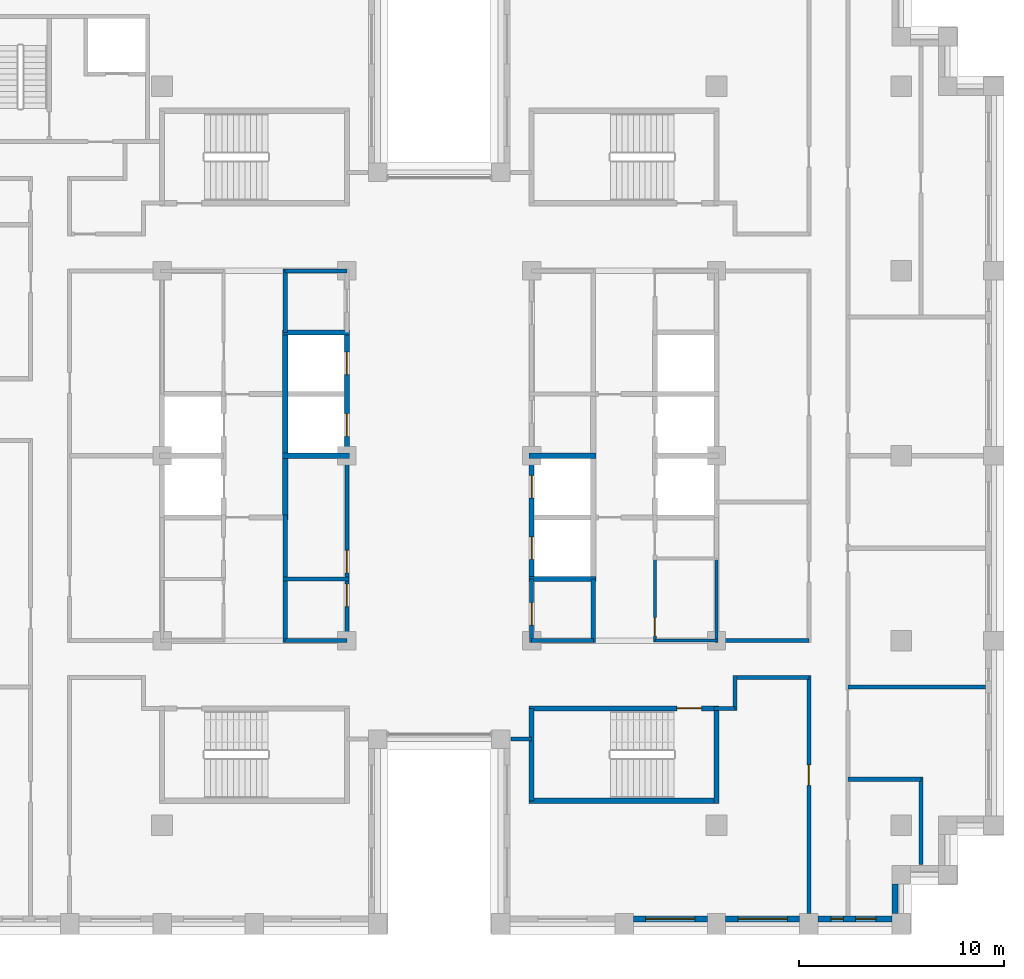
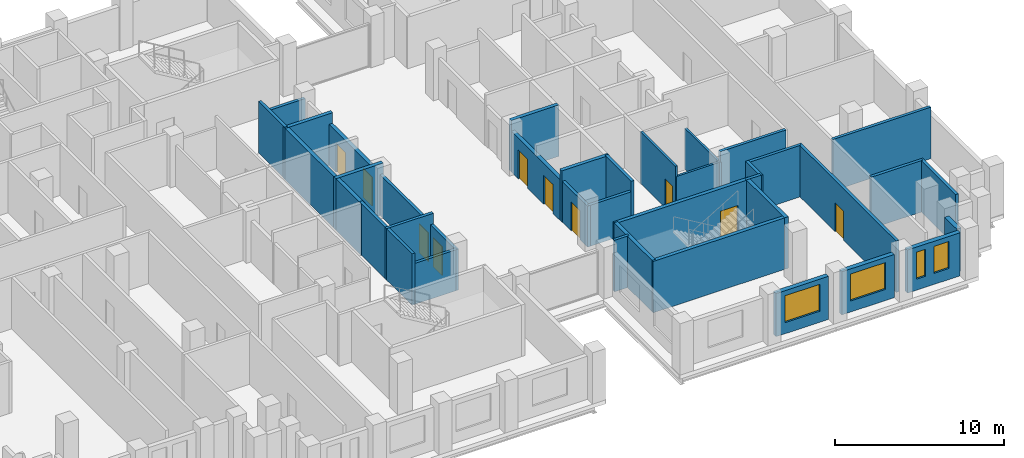
# One storey, part 8 of 15: 36 walls, 10 doors, 4 windows, 14 openings.
"""IFC4 building model written with IfcOpenShell, lengths in metres."""

from ifc_helpers import new_model, si_unit, direction, frame, frame_2d, origin, place, context, subcontext, project, spatial, rectangle, extrude, material, layer, layer_set, type_object, element, fill, save


model = new_model("IFC4")

# Units and contexts
model_context = context("Model", 3, precision=1e-05, world=origin(), true_north=direction((0.0, 1.0)))
body_context = subcontext(model_context, "Body", "Model", "MODEL_VIEW")
ifc_project = project(units=[si_unit("LENGTHUNIT", "METRE"), si_unit("AREAUNIT", "SQUARE_METRE"), si_unit("VOLUMEUNIT", "CUBIC_METRE"), si_unit("PLANEANGLEUNIT", "RADIAN"), si_unit("MASSUNIT", "GRAM", prefix="KILO")], contexts=[model_context])

# Site, building, storey
site_placement = place(None, origin())
site = spatial("IfcSite", under=ifc_project, at=site_placement, CompositionType="ELEMENT")
building_placement = place(site_placement, origin())
building = spatial("IfcBuilding", under=site, at=building_placement, Name="Corbelhall Arena Tower", CompositionType="ELEMENT")
storey_placement = place(building_placement, frame((0.0, 0.0, 196.0)))
storey = spatial("IfcBuildingStorey", under=building, at=storey_placement, Name="L40", CompositionType="ELEMENT", Elevation=196.0)

# Wall, opening, window
ifc_material_1 = material(Name="Precast concrete C40/50 with granite facing", Category="masonry")
ifc_layer_1 = layer(ifc_material_1, 0.300048828125)
ifc_layer_set_1 = layer_set([ifc_layer_1], Name="EV-IW1 Infill panel 300")
wall_type_1 = type_object("IfcWallType", Name="EV-IW1 Infill panel 300", PredefinedType="SOLIDWALL", material=ifc_layer_set_1)
wall_1_placement = place(storey_placement, frame((9.449951171875, -22.550048828125, 0.0), z_axis=(0.0, 0.0, 1.0), x_axis=(1.0, 0.0, 0.0)))
wall_1 = element("IfcWall", 1, at=wall_1_placement, inside=storey, type_object=wall_type_1, Name="Infill panel IW1", PredefinedType="SOLIDWALL", context=body_context, shape_type="SweptSolid", body=[
    extrude(rectangle(XDim=3.60009765625, YDim=0.300048828125, at=frame_2d((1.800048828125, 0.0))), origin(), (0.0, 0.0, 1.0), 3.1201171875),
])
opening_1_placement = place(wall_1_placement, frame((0.60009765625, 0.0, 0.800048828125)))
opening_1 = element("IfcOpeningElement", 2, at=opening_1_placement, cuts=wall_1, Name="Opening WN1", PredefinedType="OPENING", context=body_context, shape_type="SweptSolid", body=[
    extrude(rectangle(XDim=2.39990234375, YDim=1.949951171875, at=frame_2d((1.199951171875, 0.97509765625))), frame((0.0, 0.14990234375, 0.0), z_axis=(0.0, -1.0, 0.0), x_axis=(1.0, 0.0, 0.0)), (0.0, 0.0, 1.0), 0.300048828125),
])
ifc_material_2 = material(Name="Aluminium black anodised", Category="aluminium")
window_type_1 = type_object("IfcWindowType", Name="EV-WN1 Office window", PartitioningType="SINGLE_PANEL", PredefinedType="WINDOW", material=ifc_material_2)
window_1_placement = place(opening_1_placement, origin())
window_1 = element("IfcWindow", 3, at=window_1_placement, inside=storey, type_object=window_type_1, Name="Window WN1", OverallHeight=1.949951171875, OverallWidth=2.39990234375, PartitioningType="SINGLE_PANEL", PredefinedType="WINDOW", context=body_context, shape_type="SweptSolid", body=[
    extrude(rectangle(XDim=2.39990234375, YDim=1.949951171875, at=frame_2d((1.199951171875, 0.97509765625))), frame((0.0, 0.030029296875, 0.0), z_axis=(0.0, -1.0, 0.0), x_axis=(1.0, 0.0, 0.0)), (0.0, 0.0, 1.0), 0.06005859375),
])
fill(opening_1, window_1)

wall_2_placement = place(storey_placement, frame((13.949951171875, -22.550048828125, 0.0), z_axis=(0.0, 0.0, 1.0), x_axis=(1.0, 0.0, 0.0)))
wall_2 = element("IfcWall", 4, at=wall_2_placement, inside=storey, type_object=wall_type_1, Name="Infill panel IW1", PredefinedType="SOLIDWALL", context=body_context, shape_type="SweptSolid", body=[
    extrude(rectangle(XDim=3.60009765625, YDim=0.300048828125, at=frame_2d((1.800048828125, 0.0))), origin(), (0.0, 0.0, 1.0), 3.1201171875),
])
opening_2_placement = place(wall_2_placement, frame((0.60009765625, 0.0, 0.800048828125)))
opening_2 = element("IfcOpeningElement", 5, at=opening_2_placement, cuts=wall_2, Name="Opening WN1", PredefinedType="OPENING", context=body_context, shape_type="SweptSolid", body=[
    extrude(rectangle(XDim=2.39990234375, YDim=1.949951171875, at=frame_2d((1.199951171875, 0.97509765625))), frame((0.0, 0.14990234375, 0.0), z_axis=(0.0, -1.0, 0.0), x_axis=(1.0, 0.0, 0.0)), (0.0, 0.0, 1.0), 0.300048828125),
])
window_2_placement = place(opening_2_placement, origin())
window_2 = element("IfcWindow", 6, at=window_2_placement, inside=storey, type_object=window_type_1, Name="Window WN1", OverallHeight=1.949951171875, OverallWidth=2.39990234375, PartitioningType="SINGLE_PANEL", PredefinedType="WINDOW", context=body_context, shape_type="SweptSolid", body=[
    extrude(rectangle(XDim=2.39990234375, YDim=1.949951171875, at=frame_2d((1.199951171875, 0.97509765625))), frame((0.0, 0.030029296875, 0.0), z_axis=(0.0, -1.0, 0.0), x_axis=(1.0, 0.0, 0.0)), (0.0, 0.0, 1.0), 0.06005859375),
])
fill(opening_2, window_2)

# Wall, openings, windows
wall_3_placement = place(storey_placement, frame((18.449951171875, -22.550048828125, 0.0), z_axis=(0.0, 0.0, 1.0), x_axis=(1.0, 0.0, 0.0)))
wall_3 = element("IfcWall", 7, at=wall_3_placement, inside=storey, type_object=wall_type_1, Name="Infill panel IW1", PredefinedType="SOLIDWALL", context=body_context, shape_type="SweptSolid", body=[
    extrude(rectangle(XDim=3.60009765625, YDim=0.300048828125, at=frame_2d((1.800048828125, 0.0))), origin(), (0.0, 0.0, 1.0), 3.1201171875),
])
opening_3_placement = place(wall_3_placement, frame((0.625, 0.0, 0.800048828125)))
opening_3 = element("IfcOpeningElement", 8, at=opening_3_placement, cuts=wall_3, Name="Opening WN5", PredefinedType="OPENING", context=body_context, shape_type="SweptSolid", body=[
    extrude(rectangle(XDim=0.60009765625, YDim=1.949951171875, at=frame_2d((0.300048828125, 0.97509765625))), frame((0.0, 0.14990234375, 0.0), z_axis=(0.0, -1.0, 0.0), x_axis=(1.0, 0.0, 0.0)), (0.0, 0.0, 1.0), 0.300048828125),
])
opening_4_placement = place(wall_3_placement, frame((1.824951171875, 0.0, 0.800048828125)))
opening_4 = element("IfcOpeningElement", 9, at=opening_4_placement, cuts=wall_3, Name="Opening WN6", PredefinedType="OPENING", context=body_context, shape_type="SweptSolid", body=[
    extrude(rectangle(XDim=1.0, YDim=1.949951171875, at=frame_2d((0.5, 0.97509765625))), frame((0.0, 0.14990234375, 0.0), z_axis=(0.0, -1.0, 0.0), x_axis=(1.0, 0.0, 0.0)), (0.0, 0.0, 1.0), 0.300048828125),
])
window_type_2 = type_object("IfcWindowType", Name="EV-WN5 Office window 600", PartitioningType="SINGLE_PANEL", PredefinedType="WINDOW", material=ifc_material_2)
window_3_placement = place(opening_3_placement, origin())
window_3 = element("IfcWindow", 10, at=window_3_placement, inside=storey, type_object=window_type_2, Name="Window WN5", OverallHeight=1.949951171875, OverallWidth=0.60009765625, PartitioningType="SINGLE_PANEL", PredefinedType="WINDOW", context=body_context, shape_type="SweptSolid", body=[
    extrude(rectangle(XDim=0.60009765625, YDim=1.949951171875, at=frame_2d((0.300048828125, 0.97509765625))), frame((0.0, 0.030029296875, 0.0), z_axis=(0.0, -1.0, 0.0), x_axis=(1.0, 0.0, 0.0)), (0.0, 0.0, 1.0), 0.06005859375),
])
fill(opening_3, window_3)
window_type_3 = type_object("IfcWindowType", Name="EV-WN6 Office window 1000", PartitioningType="SINGLE_PANEL", PredefinedType="WINDOW", material=ifc_material_2)
window_4_placement = place(opening_4_placement, origin())
window_4 = element("IfcWindow", 11, at=window_4_placement, inside=storey, type_object=window_type_3, Name="Window WN6", OverallHeight=1.949951171875, OverallWidth=1.0, PartitioningType="SINGLE_PANEL", PredefinedType="WINDOW", context=body_context, shape_type="SweptSolid", body=[
    extrude(rectangle(XDim=1.0, YDim=1.949951171875, at=frame_2d((0.5, 0.97509765625))), frame((0.0, 0.030029296875, 0.0), z_axis=(0.0, -1.0, 0.0), x_axis=(1.0, 0.0, 0.0)), (0.0, 0.0, 1.0), 0.06005859375),
])
fill(opening_4, window_4)

# Walls
wall_4_placement = place(storey_placement, frame((22.199951171875, -22.300048828125, 0.0), z_axis=(0.0, 0.0, 1.0), x_axis=(0.0, 1.0, 0.0)))
element("IfcWall", 12, at=wall_4_placement, inside=storey, type_object=wall_type_1, Name="Infill panel IW1", PredefinedType="SOLIDWALL", context=body_context, shape_type="SweptSolid", body=[
    extrude(rectangle(XDim=1.449951171875, YDim=0.300048828125, at=frame_2d((0.72509765625, 0.0))), origin(), (0.0, 0.0, 1.0), 3.1201171875),
])
ifc_material_3 = material(Name="Gypsum board on steel stud, acoustic", Category="steel")
ifc_layer_2 = layer(ifc_material_3, 0.199951171875)
ifc_layer_set_2 = layer_set([ifc_layer_2], Name="IN-W-DM200")
wall_type_2 = type_object("IfcWallType", Name="IN-W-DM200", PredefinedType="PARTITIONING", material=ifc_layer_set_2)
wall_5_placement = place(storey_placement, frame((4.5, -13.800048828125, 0.0), z_axis=(0.0, 0.0, 1.0), x_axis=(-1.0, 0.0, 0.0)))
element("IfcWall", 13, at=wall_5_placement, inside=storey, type_object=wall_type_2, Name="Partition 035", PredefinedType="PARTITIONING", context=body_context, shape_type="SweptSolid", body=[
    extrude(rectangle(XDim=1.0, YDim=0.199951171875, at=frame_2d((0.5, 0.0))), origin(), (0.0, 0.0, 1.0), 3.719970703125),
])
wall_6_placement = place(storey_placement, frame((13.5, -9.0, 0.0), z_axis=(0.0, 0.0, 1.0), x_axis=(1.0, 0.0, 0.0)))
element("IfcWall", 14, at=wall_6_placement, inside=storey, type_object=wall_type_2, Name="Partition 037", PredefinedType="PARTITIONING", context=body_context, shape_type="SweptSolid", body=[
    extrude(rectangle(XDim=4.5, YDim=0.199951171875, at=frame_2d((2.25, 0.0))), origin(), (0.0, 0.0, 1.0), 3.719970703125),
])
wall_7_placement = place(storey_placement, frame((14.39990234375, -12.300048828125, 0.0), z_axis=(0.0, 0.0, 1.0), x_axis=(-1.0, 0.0, 0.0)))
element("IfcWall", 15, at=wall_7_placement, inside=storey, type_object=wall_type_2, Name="Partition 039", PredefinedType="PARTITIONING", context=body_context, shape_type="SweptSolid", body=[
    extrude(rectangle(XDim=1.02490234375, YDim=0.199951171875, at=frame_2d((0.512451171875, 0.0))), origin(), (0.0, 0.0, 1.0), 3.719970703125),
])
wall_8_placement = place(storey_placement, frame((14.39990234375, -10.699951171875, 0.0), z_axis=(0.0, 0.0, 1.0), x_axis=(0.0, -1.0, 0.0)))
element("IfcWall", 16, at=wall_8_placement, inside=storey, type_object=wall_type_2, Name="Partition 040", PredefinedType="PARTITIONING", context=body_context, shape_type="SweptSolid", body=[
    extrude(rectangle(XDim=1.699951171875, YDim=0.199951171875, at=frame_2d((0.85009765625, 0.0))), origin(), (0.0, 0.0, 1.0), 3.719970703125),
])

# Wall, opening, door
wall_9_placement = place(storey_placement, frame((18.0, -22.300048828125, 0.0), z_axis=(0.0, 0.0, 1.0), x_axis=(0.0, 1.0, 0.0)))
wall_9 = element("IfcWall", 17, at=wall_9_placement, inside=storey, type_object=wall_type_2, Name="Partition 044", PredefinedType="PARTITIONING", context=body_context, shape_type="SweptSolid", body=[
    extrude(rectangle(XDim=11.60009765625, YDim=0.199951171875, at=frame_2d((5.800048828125, 0.0))), origin(), (0.0, 0.0, 1.0), 3.719970703125),
])
opening_5_placement = place(wall_9_placement, frame((6.25, 0.0, 0.0)))
opening_5 = element("IfcOpeningElement", 18, at=opening_5_placement, cuts=wall_9, Name="Opening 12030", PredefinedType="OPENING", context=body_context, shape_type="SweptSolid", body=[
    extrude(rectangle(XDim=1.0, YDim=2.10009765625, at=frame_2d((0.5, 1.050048828125))), frame((0.0, 0.10009765625, 0.0), z_axis=(0.0, -1.0, 0.0), x_axis=(1.0, 0.0, 0.0)), (0.0, 0.0, 1.0), 0.199951171875),
])
ifc_material_4 = material(Name="Steel door set", Category="steel")
door_type_1 = type_object("IfcDoorType", Name="IN-D-SW100", OperationType="NOTDEFINED", PredefinedType="DOOR", material=ifc_material_4)
door_1_placement = place(opening_5_placement, origin())
door_1 = element("IfcDoor", 19, at=door_1_placement, inside=storey, type_object=door_type_1, Name="Door 030", OperationType="SINGLE_SWING_LEFT", OverallHeight=2.10009765625, OverallWidth=1.0, PredefinedType="DOOR", context=body_context, shape_type="SweptSolid", body=[
    extrude(rectangle(XDim=1.0, YDim=2.10009765625, at=frame_2d((0.5, 1.050048828125))), frame((0.0, 0.02490234375, 0.0), z_axis=(0.0, -1.0, 0.0), x_axis=(1.0, 0.0, 0.0)), (0.0, 0.0, 1.0), 0.050048828125),
])
fill(opening_5, door_1)

# Walls
wall_10_placement = place(storey_placement, frame((18.0, -10.800048828125, 0.0), z_axis=(0.0, 0.0, 1.0), x_axis=(-1.0, 0.0, 0.0)))
element("IfcWall", 20, at=wall_10_placement, inside=storey, type_object=wall_type_2, Name="Partition 045", PredefinedType="PARTITIONING", context=body_context, shape_type="SweptSolid", body=[
    extrude(rectangle(XDim=3.60009765625, YDim=0.199951171875, at=frame_2d((1.800048828125, 0.0))), origin(), (0.0, 0.0, 1.0), 3.719970703125),
])
wall_11_placement = place(storey_placement, frame((19.89990234375, -15.75, 0.0), z_axis=(0.0, 0.0, 1.0), x_axis=(1.0, 0.0, 0.0)))
element("IfcWall", 21, at=wall_11_placement, inside=storey, type_object=wall_type_2, Name="Partition 048", PredefinedType="PARTITIONING", context=body_context, shape_type="SweptSolid", body=[
    extrude(rectangle(XDim=3.550048828125, YDim=0.199951171875, at=frame_2d((1.77490234375, 0.0))), origin(), (0.0, 0.0, 1.0), 3.719970703125),
])
wall_12_placement = place(storey_placement, frame((19.89990234375, -11.25, 0.0), z_axis=(0.0, 0.0, 1.0), x_axis=(1.0, 0.0, 0.0)))
element("IfcWall", 22, at=wall_12_placement, inside=storey, type_object=wall_type_2, Name="Partition 050", PredefinedType="PARTITIONING", context=body_context, shape_type="SweptSolid", body=[
    extrude(rectangle(XDim=6.7001953125, YDim=0.199951171875, at=frame_2d((3.35009765625, 0.0))), origin(), (0.0, 0.0, 1.0), 3.719970703125),
])
wall_13_placement = place(storey_placement, frame((23.449951171875, -15.64990234375, 0.0), z_axis=(0.0, 0.0, 1.0), x_axis=(0.0, -1.0, 0.0)))
element("IfcWall", 23, at=wall_13_placement, inside=storey, type_object=wall_type_2, Name="Partition 053", PredefinedType="PARTITIONING", context=body_context, shape_type="SweptSolid", body=[
    extrude(rectangle(XDim=4.25, YDim=0.199951171875, at=frame_2d((2.125, 0.0))), origin(), (0.0, 0.0, 1.0), 3.719970703125),
])
ifc_material_5 = material(Name="Concrete block wall", Category="concrete")
ifc_layer_3 = layer(ifc_material_5, 0.199951171875)
ifc_layer_set_3 = layer_set([ifc_layer_3], Name="IN-W-RS200")
wall_type_3 = type_object("IfcWallType", Name="IN-W-RS200", PredefinedType="SOLIDWALL", material=ifc_layer_set_3)
wall_14_placement = place(storey_placement, frame((-7.60009765625, -6.0, 0.0), z_axis=(0.0, 0.0, 1.0), x_axis=(1.0, 0.0, 0.0)))
element("IfcWall", 24, at=wall_14_placement, inside=storey, type_object=wall_type_3, Name="Partition 058", PredefinedType="SOLIDWALL", context=body_context, shape_type="SweptSolid", body=[
    extrude(rectangle(XDim=3.2001953125, YDim=0.199951171875, at=frame_2d((1.60009765625, 0.0))), origin(), (0.0, 0.0, 1.0), 3.719970703125),
])
wall_15_placement = place(storey_placement, frame((-7.5, -9.10009765625, 0.0), z_axis=(0.0, 0.0, 1.0), x_axis=(0.0, 1.0, 0.0)))
element("IfcWall", 25, at=wall_15_placement, inside=storey, type_object=wall_type_3, Name="Partition 059", PredefinedType="SOLIDWALL", context=body_context, shape_type="SweptSolid", body=[
    extrude(rectangle(XDim=6.22509765625, YDim=0.199951171875, at=frame_2d((3.112548828125, 0.0))), origin(), (0.0, 0.0, 1.0), 3.719970703125),
])
for number, where, z_axis, x_axis, name in (
    (26, (-7.5, 6.0, 0.0), (0.0, 0.0, 1.0), (0.0, 1.0, 0.0), "Partition 060"),
    (27, (7.5, -6.0, 0.0), (0.0, 0.0, 1.0), (0.0, -1.0, 0.0), "Partition 070"),
):
    element("IfcWall", number, at=place(storey_placement, frame(where, z_axis=z_axis, x_axis=x_axis)), inside=storey, type_object=wall_type_3, Name=name, PredefinedType="SOLIDWALL", context=body_context, shape_type="SweptSolid", body=[
        extrude(rectangle(XDim=3.10009765625, YDim=0.199951171875, at=frame_2d((1.550048828125, 0.0))), origin(), (0.0, 0.0, 1.0), 3.719970703125),
    ])
ifc_layer_4 = layer(ifc_material_5, 0.199951171875)
ifc_layer_set_4 = layer_set([ifc_layer_4], Name="IN-W-RS200 under beam 762 mm")
wall_type_4 = type_object("IfcWallType", Name="IN-W-RS200 under beam 762 mm", PredefinedType="SOLIDWALL", material=ifc_layer_set_4)
for number, where, z_axis, x_axis, name in (
    (28, (-7.5, 9.0, 0.0), (0.0, 0.0, 1.0), (1.0, 0.0, 0.0), "Partition 061"),
    (29, (-4.5, -9.0, 0.0), (0.0, 0.0, 1.0), (-1.0, 0.0, 0.0), "Partition 062"),
):
    element("IfcWall", number, at=place(storey_placement, frame(where, z_axis=z_axis, x_axis=x_axis)), inside=storey, type_object=wall_type_4, Name=name, PredefinedType="SOLIDWALL", context=body_context, shape_type="SweptSolid", body=[
        extrude(rectangle(XDim=3.0, YDim=0.199951171875, at=frame_2d((1.5, 0.0))), origin(), (0.0, 0.0, 1.0), 2.9580078125),
    ])

# Wall, openings, doors
wall_16_placement = place(storey_placement, frame((-4.5, 0.0, 0.0), z_axis=(0.0, 0.0, 1.0), x_axis=(0.0, -1.0, 0.0)))
wall_16 = element("IfcWall", 30, at=wall_16_placement, inside=storey, type_object=wall_type_4, Name="Partition 063", PredefinedType="SOLIDWALL", context=body_context, shape_type="SweptSolid", body=[
    extrude(rectangle(XDim=9.10009765625, YDim=0.199951171875, at=frame_2d((4.550048828125, 0.0))), origin(), (0.0, 0.0, 1.0), 2.9580078125),
])
opening_6_placement = place(wall_16_placement, frame((6.25, 0.0, 0.0)))
opening_6 = element("IfcOpeningElement", 31, at=opening_6_placement, cuts=wall_16, Name="Opening 12001", PredefinedType="OPENING", context=body_context, shape_type="SweptSolid", body=[
    extrude(rectangle(XDim=1.10009765625, YDim=2.10009765625, at=frame_2d((0.550048828125, 1.050048828125))), frame((0.0, 0.10009765625, 0.0), z_axis=(0.0, -1.0, 0.0), x_axis=(1.0, 0.0, 0.0)), (0.0, 0.0, 1.0), 0.199951171875),
])
opening_7_placement = place(wall_16_placement, frame((4.60009765625, 0.0, 0.0)))
opening_7 = element("IfcOpeningElement", 32, at=opening_7_placement, cuts=wall_16, Name="Opening 12002", PredefinedType="OPENING", context=body_context, shape_type="SweptSolid", body=[
    extrude(rectangle(XDim=1.10009765625, YDim=2.10009765625, at=frame_2d((0.550048828125, 1.050048828125))), frame((0.0, 0.10009765625, 0.0), z_axis=(0.0, -1.0, 0.0), x_axis=(1.0, 0.0, 0.0)), (0.0, 0.0, 1.0), 0.199951171875),
])
door_type_2 = type_object("IfcDoorType", Name="IN-D-FD110", OperationType="NOTDEFINED", PredefinedType="DOOR", material=ifc_material_4)
door_2_placement = place(opening_6_placement, origin())
door_2 = element("IfcDoor", 33, at=door_2_placement, inside=storey, type_object=door_type_2, Name="Door 001", OperationType="SINGLE_SWING_RIGHT", OverallHeight=2.10009765625, OverallWidth=1.10009765625, PredefinedType="DOOR", context=body_context, shape_type="SweptSolid", body=[
    extrude(rectangle(XDim=1.10009765625, YDim=2.10009765625, at=frame_2d((0.550048828125, 1.050048828125))), frame((0.0, 0.02490234375, 0.0), z_axis=(0.0, -1.0, 0.0), x_axis=(1.0, 0.0, 0.0)), (0.0, 0.0, 1.0), 0.050048828125),
])
fill(opening_6, door_2)
door_3_placement = place(opening_7_placement, origin())
door_3 = element("IfcDoor", 34, at=door_3_placement, inside=storey, type_object=door_type_2, Name="Door 002", OperationType="SINGLE_SWING_LEFT", OverallHeight=2.10009765625, OverallWidth=1.10009765625, PredefinedType="DOOR", context=body_context, shape_type="SweptSolid", body=[
    extrude(rectangle(XDim=1.10009765625, YDim=2.10009765625, at=frame_2d((0.550048828125, 1.050048828125))), frame((0.0, 0.02490234375, 0.0), z_axis=(0.0, -1.0, 0.0), x_axis=(1.0, 0.0, 0.0)), (0.0, 0.0, 1.0), 0.050048828125),
])
fill(opening_7, door_3)

# Wall, opening, door
wall_17_placement = place(storey_placement, frame((4.5, -9.10009765625, 0.0), z_axis=(0.0, 0.0, 1.0), x_axis=(0.0, 1.0, 0.0)))
wall_17 = element("IfcWall", 35, at=wall_17_placement, inside=storey, type_object=wall_type_4, Name="Partition 066", PredefinedType="SOLIDWALL", context=body_context, shape_type="SweptSolid", body=[
    extrude(rectangle(XDim=3.10009765625, YDim=0.199951171875, at=frame_2d((1.550048828125, 0.0))), origin(), (0.0, 0.0, 1.0), 2.9580078125),
])
opening_8_placement = place(wall_17_placement, frame((0.85009765625, 0.0, 0.0)))
opening_8 = element("IfcOpeningElement", 36, at=opening_8_placement, cuts=wall_17, Name="Opening 12009", PredefinedType="OPENING", context=body_context, shape_type="SweptSolid", body=[
    extrude(rectangle(XDim=1.10009765625, YDim=2.10009765625, at=frame_2d((0.550048828125, 1.050048828125))), frame((0.0, 0.10009765625, 0.0), z_axis=(0.0, -1.0, 0.0), x_axis=(1.0, 0.0, 0.0)), (0.0, 0.0, 1.0), 0.199951171875),
])
door_4_placement = place(opening_8_placement, origin())
door_4 = element("IfcDoor", 37, at=door_4_placement, inside=storey, type_object=door_type_2, Name="Door 009", OperationType="SINGLE_SWING_RIGHT", OverallHeight=2.10009765625, OverallWidth=1.10009765625, PredefinedType="DOOR", context=body_context, shape_type="SweptSolid", body=[
    extrude(rectangle(XDim=1.10009765625, YDim=2.10009765625, at=frame_2d((0.550048828125, 1.050048828125))), frame((0.0, 0.02490234375, 0.0), z_axis=(0.0, -1.0, 0.0), x_axis=(1.0, 0.0, 0.0)), (0.0, 0.0, 1.0), 0.050048828125),
])
fill(opening_8, door_4)

# Walls
wall_18_placement = place(storey_placement, frame((7.5, -9.0, 0.0), z_axis=(0.0, 0.0, 1.0), x_axis=(-1.0, 0.0, 0.0)))
element("IfcWall", 38, at=wall_18_placement, inside=storey, type_object=wall_type_4, Name="Partition 069", PredefinedType="SOLIDWALL", context=body_context, shape_type="SweptSolid", body=[
    extrude(rectangle(XDim=3.0, YDim=0.199951171875, at=frame_2d((1.5, 0.0))), origin(), (0.0, 0.0, 1.0), 2.9580078125),
])
ifc_material_6 = material(Name="Concrete C40/50", Category="concrete")
ifc_layer_5 = layer(ifc_material_6, 0.25)
ifc_layer_set_5 = layer_set([ifc_layer_5], Name="IN-W-SH250")
wall_type_5 = type_object("IfcWallType", Name="IN-W-SH250", PredefinedType="SOLIDWALL", material=ifc_layer_set_5)
for number, where, z_axis, x_axis, name in (
    (39, (-7.625, 0.0, 0.0), (0.0, 0.0, 1.0), (1.0, 0.0, 0.0), "Shaft wall 082"),
    (40, (-7.625, 6.0, 0.0), (0.0, 0.0, 1.0), (1.0, 0.0, 0.0), "Shaft wall 083"),
):
    element("IfcWall", number, at=place(storey_placement, frame(where, z_axis=z_axis, x_axis=x_axis)), inside=storey, type_object=wall_type_5, Name=name, PredefinedType="SOLIDWALL", context=body_context, shape_type="SweptSolid", body=[
        extrude(rectangle(XDim=3.25, YDim=0.25, at=frame_2d((1.625, 0.0))), origin(), (0.0, 0.0, 1.0), 3.719970703125),
    ])
wall_19_placement = place(storey_placement, frame((-7.5, -3.125, 0.0), z_axis=(0.0, 0.0, 1.0), x_axis=(0.0, 1.0, 0.0)))
element("IfcWall", 41, at=wall_19_placement, inside=storey, type_object=wall_type_5, Name="Shaft wall 084", PredefinedType="SOLIDWALL", context=body_context, shape_type="SweptSolid", body=[
    extrude(rectangle(XDim=9.125, YDim=0.25, at=frame_2d((4.5625, 0.0))), origin(), (0.0, 0.0, 1.0), 3.719970703125),
])
for number, where, z_axis, x_axis, name in (
    (42, (4.375, -6.0, 0.0), (0.0, 0.0, 1.0), (1.0, 0.0, 0.0), "Shaft wall 086"),
    (43, (4.375, 0.0, 0.0), (0.0, 0.0, 1.0), (1.0, 0.0, 0.0), "Shaft wall 088"),
):
    element("IfcWall", number, at=place(storey_placement, frame(where, z_axis=z_axis, x_axis=x_axis)), inside=storey, type_object=wall_type_5, Name=name, PredefinedType="SOLIDWALL", context=body_context, shape_type="SweptSolid", body=[
        extrude(rectangle(XDim=3.25, YDim=0.25, at=frame_2d((1.625, 0.0))), origin(), (0.0, 0.0, 1.0), 3.719970703125),
    ])

# Wall, openings, doors
ifc_layer_6 = layer(ifc_material_6, 0.25)
ifc_layer_set_6 = layer_set([ifc_layer_6], Name="IN-W-SH250 under beam 762 mm")
wall_type_6 = type_object("IfcWallType", Name="IN-W-SH250 under beam 762 mm", PredefinedType="SOLIDWALL", material=ifc_layer_set_6)
wall_20_placement = place(storey_placement, frame((-4.5, 6.0, 0.0), z_axis=(0.0, 0.0, 1.0), x_axis=(0.0, -1.0, 0.0)))
wall_20 = element("IfcWall", 44, at=wall_20_placement, inside=storey, type_object=wall_type_6, Name="Shaft wall 085", PredefinedType="SOLIDWALL", context=body_context, shape_type="SweptSolid", body=[
    extrude(rectangle(XDim=6.0, YDim=0.25, at=frame_2d((3.0, 0.0))), origin(), (0.0, 0.0, 1.0), 2.9580078125),
])
opening_9_placement = place(wall_20_placement, frame((3.949951171875, 0.0, 0.0)))
opening_9 = element("IfcOpeningElement", 45, at=opening_9_placement, cuts=wall_20, Name="Opening LD", PredefinedType="OPENING", context=body_context, shape_type="SweptSolid", body=[
    extrude(rectangle(XDim=1.10009765625, YDim=2.10009765625, at=frame_2d((0.550048828125, 1.050048828125))), frame((0.0, 0.125, 0.0), z_axis=(0.0, -1.0, 0.0), x_axis=(1.0, 0.0, 0.0)), (0.0, 0.0, 1.0), 0.25),
])
opening_10_placement = place(wall_20_placement, frame((0.949951171875, 0.0, 0.0)))
opening_10 = element("IfcOpeningElement", 46, at=opening_10_placement, cuts=wall_20, Name="Opening LD", PredefinedType="OPENING", context=body_context, shape_type="SweptSolid", body=[
    extrude(rectangle(XDim=1.10009765625, YDim=2.10009765625, at=frame_2d((0.550048828125, 1.050048828125))), frame((0.0, 0.125, 0.0), z_axis=(0.0, -1.0, 0.0), x_axis=(1.0, 0.0, 0.0)), (0.0, 0.0, 1.0), 0.25),
])
door_type_3 = type_object("IfcDoorType", Name="IN-D-LD110", OperationType="NOTDEFINED", PredefinedType="DOOR", material=ifc_material_4)
door_5_placement = place(opening_9_placement, origin())
door_5 = element("IfcDoor", 47, at=door_5_placement, inside=storey, type_object=door_type_3, Name="Landing door W4", OperationType="SLIDING_TO_LEFT", OverallHeight=2.10009765625, OverallWidth=1.10009765625, PredefinedType="DOOR", context=body_context, shape_type="SweptSolid", body=[
    extrude(rectangle(XDim=1.10009765625, YDim=2.10009765625, at=frame_2d((0.550048828125, 1.050048828125))), frame((0.0, 0.02490234375, 0.0), z_axis=(0.0, -1.0, 0.0), x_axis=(1.0, 0.0, 0.0)), (0.0, 0.0, 1.0), 0.050048828125),
])
fill(opening_9, door_5)
door_6_placement = place(opening_10_placement, origin())
door_6 = element("IfcDoor", 48, at=door_6_placement, inside=storey, type_object=door_type_3, Name="Landing door W5", OperationType="SLIDING_TO_LEFT", OverallHeight=2.10009765625, OverallWidth=1.10009765625, PredefinedType="DOOR", context=body_context, shape_type="SweptSolid", body=[
    extrude(rectangle(XDim=1.10009765625, YDim=2.10009765625, at=frame_2d((0.550048828125, 1.050048828125))), frame((0.0, 0.02490234375, 0.0), z_axis=(0.0, -1.0, 0.0), x_axis=(1.0, 0.0, 0.0)), (0.0, 0.0, 1.0), 0.050048828125),
])
fill(opening_10, door_6)

wall_21_placement = place(storey_placement, frame((4.5, -6.0, 0.0), z_axis=(0.0, 0.0, 1.0), x_axis=(0.0, 1.0, 0.0)))
wall_21 = element("IfcWall", 49, at=wall_21_placement, inside=storey, type_object=wall_type_6, Name="Shaft wall 089", PredefinedType="SOLIDWALL", context=body_context, shape_type="SweptSolid", body=[
    extrude(rectangle(XDim=6.0, YDim=0.25, at=frame_2d((3.0, 0.0))), origin(), (0.0, 0.0, 1.0), 2.9580078125),
])
opening_11_placement = place(wall_21_placement, frame((0.949951171875, 0.0, 0.0)))
opening_11 = element("IfcOpeningElement", 50, at=opening_11_placement, cuts=wall_21, Name="Opening LD", PredefinedType="OPENING", context=body_context, shape_type="SweptSolid", body=[
    extrude(rectangle(XDim=1.10009765625, YDim=2.10009765625, at=frame_2d((0.550048828125, 1.050048828125))), frame((0.0, 0.125, 0.0), z_axis=(0.0, -1.0, 0.0), x_axis=(1.0, 0.0, 0.0)), (0.0, 0.0, 1.0), 0.25),
])
opening_12_placement = place(wall_21_placement, frame((3.949951171875, 0.0, 0.0)))
opening_12 = element("IfcOpeningElement", 51, at=opening_12_placement, cuts=wall_21, Name="Opening LD", PredefinedType="OPENING", context=body_context, shape_type="SweptSolid", body=[
    extrude(rectangle(XDim=1.10009765625, YDim=2.10009765625, at=frame_2d((0.550048828125, 1.050048828125))), frame((0.0, 0.125, 0.0), z_axis=(0.0, -1.0, 0.0), x_axis=(1.0, 0.0, 0.0)), (0.0, 0.0, 1.0), 0.25),
])
door_7_placement = place(opening_11_placement, origin())
door_7 = element("IfcDoor", 52, at=door_7_placement, inside=storey, type_object=door_type_3, Name="Landing door E2", OperationType="SLIDING_TO_LEFT", OverallHeight=2.10009765625, OverallWidth=1.10009765625, PredefinedType="DOOR", context=body_context, shape_type="SweptSolid", body=[
    extrude(rectangle(XDim=1.10009765625, YDim=2.10009765625, at=frame_2d((0.550048828125, 1.050048828125))), frame((0.0, 0.02490234375, 0.0), z_axis=(0.0, -1.0, 0.0), x_axis=(1.0, 0.0, 0.0)), (0.0, 0.0, 1.0), 0.050048828125),
])
fill(opening_11, door_7)
door_8_placement = place(opening_12_placement, origin())
door_8 = element("IfcDoor", 53, at=door_8_placement, inside=storey, type_object=door_type_3, Name="Landing door E3", OperationType="SLIDING_TO_LEFT", OverallHeight=2.10009765625, OverallWidth=1.10009765625, PredefinedType="DOOR", context=body_context, shape_type="SweptSolid", body=[
    extrude(rectangle(XDim=1.10009765625, YDim=2.10009765625, at=frame_2d((0.550048828125, 1.050048828125))), frame((0.0, 0.02490234375, 0.0), z_axis=(0.0, -1.0, 0.0), x_axis=(1.0, 0.0, 0.0)), (0.0, 0.0, 1.0), 0.050048828125),
])
fill(opening_12, door_8)

# Walls
ifc_layer_7 = layer(ifc_material_6, 0.25)
ifc_layer_set_7 = layer_set([ifc_layer_7], Name="IN-W-ST250")
wall_type_7 = type_object("IfcWallType", Name="IN-W-ST250", PredefinedType="SOLIDWALL", material=ifc_layer_set_7)
wall_22_placement = place(storey_placement, frame((4.5, -16.800048828125, 0.0), z_axis=(0.0, 0.0, 1.0), x_axis=(0.0, 1.0, 0.0)))
element("IfcWall", 54, at=wall_22_placement, inside=storey, type_object=wall_type_7, Name="Shaft wall 112", PredefinedType="SOLIDWALL", context=body_context, shape_type="SweptSolid", body=[
    extrude(rectangle(XDim=4.5, YDim=0.25, at=frame_2d((2.25, 0.0))), origin(), (0.0, 0.0, 1.0), 3.719970703125),
])
wall_23_placement = place(storey_placement, frame((13.5, -16.800048828125, 0.0), z_axis=(0.0, 0.0, 1.0), x_axis=(-1.0, 0.0, 0.0)))
element("IfcWall", 55, at=wall_23_placement, inside=storey, type_object=wall_type_7, Name="Shaft wall 114", PredefinedType="SOLIDWALL", context=body_context, shape_type="SweptSolid", body=[
    extrude(rectangle(XDim=9.125, YDim=0.25, at=frame_2d((4.5625, 0.0))), origin(), (0.0, 0.0, 1.0), 3.719970703125),
])
wall_24_placement = place(storey_placement, frame((13.5, -12.300048828125, 0.0), z_axis=(0.0, 0.0, 1.0), x_axis=(0.0, -1.0, 0.0)))
element("IfcWall", 56, at=wall_24_placement, inside=storey, type_object=wall_type_7, Name="Shaft wall 115", PredefinedType="SOLIDWALL", context=body_context, shape_type="SweptSolid", body=[
    extrude(rectangle(XDim=4.625, YDim=0.25, at=frame_2d((2.3125, 0.0))), origin(), (0.0, 0.0, 1.0), 3.719970703125),
])

# Wall, opening, door
wall_25_placement = place(storey_placement, frame((13.625, -12.300048828125, 0.0), z_axis=(0.0, 0.0, 1.0), x_axis=(-1.0, 0.0, 0.0)))
wall_25 = element("IfcWall", 57, at=wall_25_placement, inside=storey, type_object=wall_type_7, Name="Shaft wall 117", PredefinedType="SOLIDWALL", context=body_context, shape_type="SweptSolid", body=[
    extrude(rectangle(XDim=9.25, YDim=0.25, at=frame_2d((4.625, 0.0))), origin(), (0.0, 0.0, 1.0), 3.719970703125),
])
opening_13_placement = place(wall_25_placement, frame((0.85009765625, 0.0, 0.0)))
opening_13 = element("IfcOpeningElement", 58, at=opening_13_placement, cuts=wall_25, Name="Opening 12020", PredefinedType="OPENING", context=body_context, shape_type="SweptSolid", body=[
    extrude(rectangle(XDim=1.199951171875, YDim=2.10009765625, at=frame_2d((0.60009765625, 1.050048828125))), frame((0.0, 0.125, 0.0), z_axis=(0.0, -1.0, 0.0), x_axis=(1.0, 0.0, 0.0)), (0.0, 0.0, 1.0), 0.25),
])
door_type_4 = type_object("IfcDoorType", Name="IN-D-ST120", OperationType="NOTDEFINED", PredefinedType="DOOR", material=ifc_material_4)
door_9_placement = place(opening_13_placement, origin())
door_9 = element("IfcDoor", 59, at=door_9_placement, inside=storey, type_object=door_type_4, Name="Door 020", OperationType="SINGLE_SWING_LEFT", OverallHeight=2.10009765625, OverallWidth=1.199951171875, PredefinedType="DOOR", context=body_context, shape_type="SweptSolid", body=[
    extrude(rectangle(XDim=1.199951171875, YDim=2.10009765625, at=frame_2d((0.60009765625, 1.050048828125))), frame((0.0, 0.02490234375, 0.0), z_axis=(0.0, -1.0, 0.0), x_axis=(1.0, 0.0, 0.0)), (0.0, 0.0, 1.0), 0.050048828125),
])
fill(opening_13, door_9)

ifc_material_7 = material(Name="Gypsum board on steel stud, moisture resistant", Category="steel")
ifc_layer_8 = layer(ifc_material_7, 0.14990234375)
ifc_layer_set_8 = layer_set([ifc_layer_8], Name="IN-W-WC150")
wall_type_8 = type_object("IfcWallType", Name="IN-W-WC150", PredefinedType="PARTITIONING", material=ifc_layer_set_8)
wall_26_placement = place(storey_placement, frame((10.5, -4.925048828125, 0.0), z_axis=(0.0, 0.0, 1.0), x_axis=(0.0, -1.0, 0.0)))
wall_26 = element("IfcWall", 60, at=wall_26_placement, inside=storey, type_object=wall_type_8, Name="Partition 126", PredefinedType="PARTITIONING", context=body_context, shape_type="SweptSolid", body=[
    extrude(rectangle(XDim=4.14990234375, YDim=0.14990234375, at=frame_2d((2.074951171875, 0.0))), origin(), (0.0, 0.0, 1.0), 3.719970703125),
])
opening_14_placement = place(wall_26_placement, frame((2.949951171875, 0.0, 0.0)))
opening_14 = element("IfcOpeningElement", 61, at=opening_14_placement, cuts=wall_26, Name="Opening 12014", PredefinedType="OPENING", context=body_context, shape_type="SweptSolid", body=[
    extrude(rectangle(XDim=0.89990234375, YDim=2.10009765625, at=frame_2d((0.449951171875, 1.050048828125))), frame((0.0, 0.074951171875, 0.0), z_axis=(0.0, -1.0, 0.0), x_axis=(1.0, 0.0, 0.0)), (0.0, 0.0, 1.0), 0.14990234375),
])
ifc_material_8 = material(Name="Timber door set", Category="wood")
door_type_5 = type_object("IfcDoorType", Name="IN-D-SW90", OperationType="NOTDEFINED", PredefinedType="DOOR", material=ifc_material_8)
door_10_placement = place(opening_14_placement, origin())
door_10 = element("IfcDoor", 62, at=door_10_placement, inside=storey, type_object=door_type_5, Name="Door 014", OperationType="SINGLE_SWING_LEFT", OverallHeight=2.10009765625, OverallWidth=0.89990234375, PredefinedType="DOOR", context=body_context, shape_type="SweptSolid", body=[
    extrude(rectangle(XDim=0.89990234375, YDim=2.10009765625, at=frame_2d((0.449951171875, 1.050048828125))), frame((0.0, 0.02490234375, 0.0), z_axis=(0.0, -1.0, 0.0), x_axis=(1.0, 0.0, 0.0)), (0.0, 0.0, 1.0), 0.050048828125),
])
fill(opening_14, door_10)

# Walls
ifc_layer_9 = layer(ifc_material_7, 0.14990234375)
ifc_layer_set_9 = layer_set([ifc_layer_9], Name="IN-W-WC150 under beam 762 mm")
wall_type_9 = type_object("IfcWallType", Name="IN-W-WC150 under beam 762 mm", PredefinedType="PARTITIONING", material=ifc_layer_set_9)
wall_27_placement = place(storey_placement, frame((13.5, -5.0, 0.0), z_axis=(0.0, 0.0, 1.0), x_axis=(0.0, -1.0, 0.0)))
element("IfcWall", 63, at=wall_27_placement, inside=storey, type_object=wall_type_9, Name="Partition 127", PredefinedType="PARTITIONING", context=body_context, shape_type="SweptSolid", body=[
    extrude(rectangle(XDim=4.10009765625, YDim=0.14990234375, at=frame_2d((2.050048828125, 0.0))), origin(), (0.0, 0.0, 1.0), 2.9580078125),
])
wall_28_placement = place(storey_placement, frame((13.574951171875, -9.0, 0.0), z_axis=(0.0, 0.0, 1.0), x_axis=(-1.0, 0.0, 0.0)))
element("IfcWall", 64, at=wall_28_placement, inside=storey, type_object=wall_type_9, Name="Partition 128", PredefinedType="PARTITIONING", context=body_context, shape_type="SweptSolid", body=[
    extrude(rectangle(XDim=3.074951171875, YDim=0.14990234375, at=frame_2d((1.53759765625, 0.0))), origin(), (0.0, 0.0, 1.0), 2.9580078125),
])

save(model, "model.ifc")
